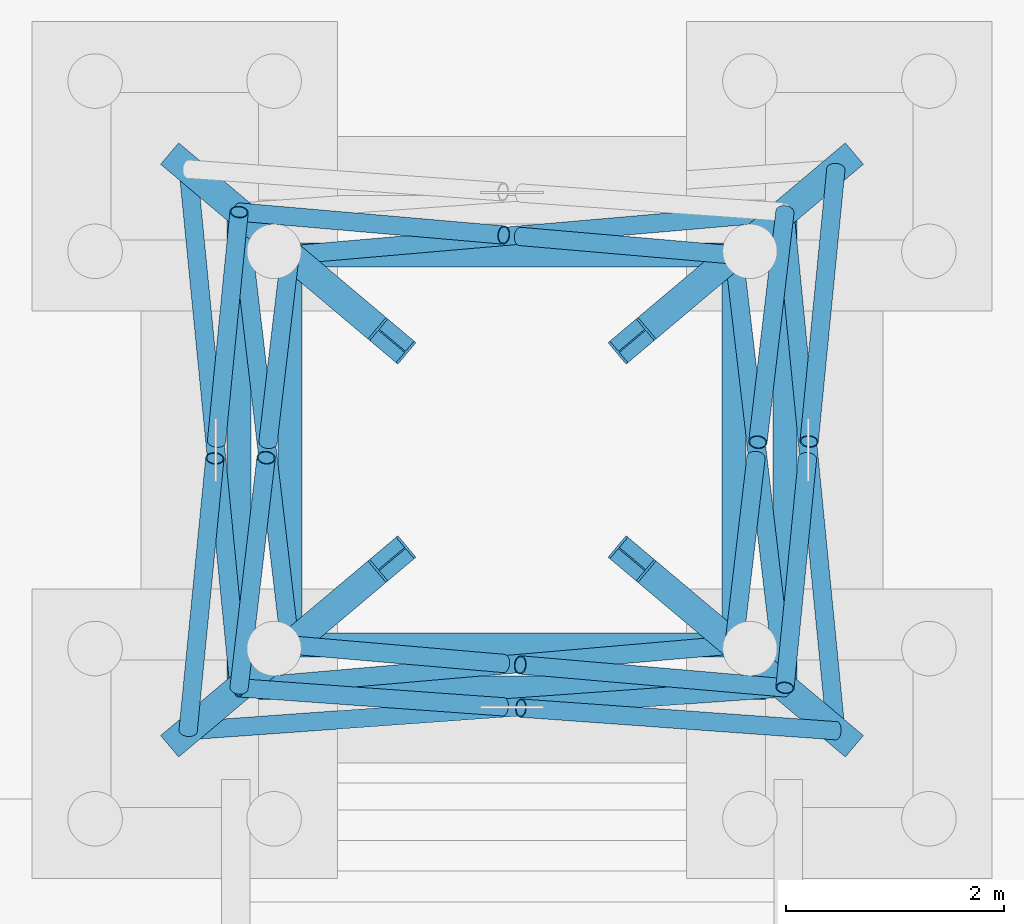
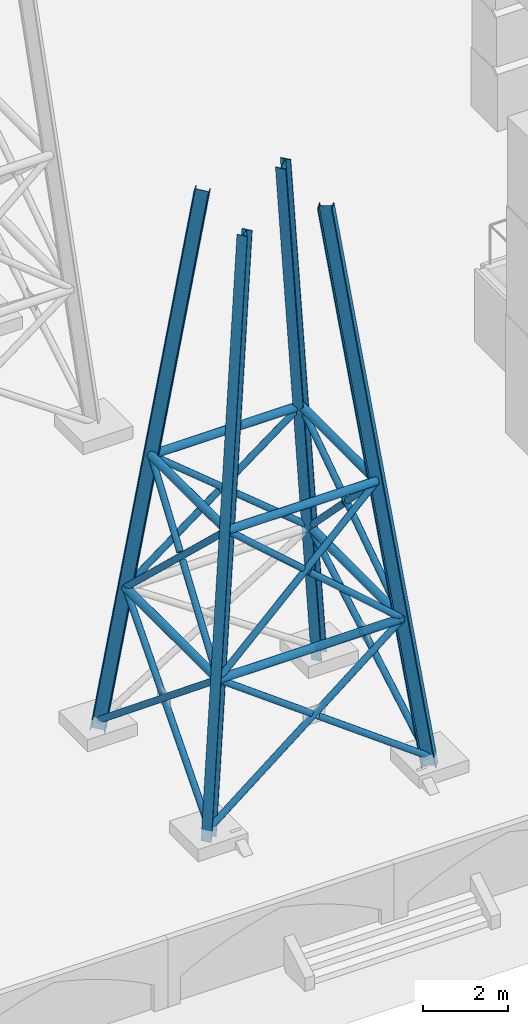
# One storey, part 38 of 135: 32 members.
"""IFC4 building model written with IfcOpenShell, lengths in metres."""

from ifc_helpers import new_model, si_unit, direction, frame, origin, origin_2d, place, context, subcontext, project, spatial, hollow_circle, i_section, extrude, material, material_profile, profile_set, type_object, element, save


model = new_model("IFC4")

# Units and contexts
model_context = context("Model", 3, precision=1e-05, world=origin(), true_north=direction((0.0, 1.0)))
body_context = subcontext(model_context, "Body", "Model", "MODEL_VIEW")
ifc_project = project(units=[si_unit("LENGTHUNIT", "METRE"), si_unit("AREAUNIT", "SQUARE_METRE"), si_unit("VOLUMEUNIT", "CUBIC_METRE"), si_unit("PLANEANGLEUNIT", "RADIAN"), si_unit("MASSUNIT", "GRAM", prefix="KILO")], contexts=[model_context])

# Site, building, storey
site_placement = place(None, origin())
site = spatial("IfcSite", under=ifc_project, at=site_placement, CompositionType="ELEMENT")
building_placement = place(site_placement, origin())
building = spatial("IfcBuilding", under=site, at=building_placement, Name="Cumevento Cable Car Station", CompositionType="ELEMENT")
storey_placement = place(building_placement, origin())
storey = spatial("IfcBuildingStorey", under=building, at=storey_placement, Name="L01", CompositionType="ELEMENT", Elevation=0.0)

# Members
ifc_material_1 = material(Name="Steel ASTM A572 Grade 50", Category="steel")
ifc_material_profile_1 = material_profile(ifc_material_1, hollow_circle(Radius=0.109619140625, WallThickness=0.012451171875, at=origin_2d()), Name="CHS219.1x12.5")
ifc_profile_set_1 = profile_set([ifc_material_profile_1], Name="Steel ASTM A572 Grade 50")
member_type_1 = type_object("IfcMemberType", Name="Framing Brace TD-01 CHS219.1x12.5", PredefinedType="BRACE", material=ifc_profile_set_1)
member_1_placement = place(storey_placement, frame((91.49951171875, 5.0205078125, 4.175048828125), z_axis=(1.0, 0.0, 0.0), x_axis=(0.0, 1.0, 0.0)))
element("IfcMember", 1, at=member_1_placement, inside=storey, type_object=member_type_1, Name="PYLON_S02 Horizontal Lattice Girt #587", PredefinedType="BRACE", context=body_context, shape_type="SweptSolid", body=[
    extrude(hollow_circle(Radius=0.109619140625, WallThickness=0.012451171875, at=origin_2d()), origin(), (0.0, 0.0, 1.0), 5.0009765625),
])
for number, where, z_axis, x_axis, name in (
    (2, (96.50048828125, 5.0205078125, 4.175048828125), (0.0, 1.0, 0.0), (-1.0, 0.0, 0.0), "PYLON_S02 Horizontal Lattice Girt #591"),
    (3, (91.49951171875, 9.37939453125, 4.175048828125), (0.0, -1.0, 0.0), (1.0, 0.0, 0.0), "PYLON_S02 Horizontal Lattice Girt #599"),
):
    element("IfcMember", number, at=place(storey_placement, frame(where, z_axis=z_axis, x_axis=x_axis)), inside=storey, type_object=member_type_1, Name=name, PredefinedType="BRACE", context=body_context, shape_type="SweptSolid", body=[
        extrude(hollow_circle(Radius=0.109619140625, WallThickness=0.012451171875, at=origin_2d()), origin(), (0.0, 0.0, 1.0), 4.35888671875),
    ])
member_2_placement = place(storey_placement, frame((91.96630859375, 5.413818359375, 8.050048828125), z_axis=(1.0, 0.0, 0.0), x_axis=(0.0, 1.0, 0.0)))
element("IfcMember", 4, at=member_2_placement, inside=storey, type_object=member_type_1, Name="PYLON_S02 Horizontal Lattice Girt #603", PredefinedType="BRACE", context=body_context, shape_type="SweptSolid", body=[
    extrude(hollow_circle(Radius=0.109619140625, WallThickness=0.012451171875, at=origin_2d()), origin(), (0.0, 0.0, 1.0), 4.0673828125),
])
member_3_placement = place(storey_placement, frame((96.03369140625, 5.413818359375, 8.050048828125), z_axis=(0.0, 1.0, 0.0), x_axis=(-1.0, 0.0, 0.0)))
element("IfcMember", 5, at=member_3_placement, inside=storey, type_object=member_type_1, Name="PYLON_S02 Horizontal Lattice Girt #607", PredefinedType="BRACE", context=body_context, shape_type="SweptSolid", body=[
    extrude(hollow_circle(Radius=0.109619140625, WallThickness=0.012451171875, at=origin_2d()), origin(), (0.0, 0.0, 1.0), 3.572509765625),
])
member_4_placement = place(storey_placement, frame((96.03369140625, 8.986328125, 8.050048828125), z_axis=(-1.0, 0.0, 0.0), x_axis=(0.0, -1.0, 0.0)))
element("IfcMember", 6, at=member_4_placement, inside=storey, type_object=member_type_1, Name="PYLON_S02 Horizontal Lattice Girt #611", PredefinedType="BRACE", context=body_context, shape_type="SweptSolid", body=[
    extrude(hollow_circle(Radius=0.109619140625, WallThickness=0.012451171875, at=origin_2d()), origin(), (0.0, 0.0, 1.0), 4.0673828125),
])
member_5_placement = place(storey_placement, frame((91.96630859375, 8.986328125, 8.050048828125), z_axis=(0.0, -1.0, 0.0), x_axis=(1.0, 0.0, 0.0)))
element("IfcMember", 7, at=member_5_placement, inside=storey, type_object=member_type_1, Name="PYLON_S02 Horizontal Lattice Girt #615", PredefinedType="BRACE", context=body_context, shape_type="SweptSolid", body=[
    extrude(hollow_circle(Radius=0.109619140625, WallThickness=0.012451171875, at=origin_2d()), origin(), (0.0, 0.0, 1.0), 3.572509765625),
])
ifc_material_2 = material(Name="Steel ASTM A572 Grade 50", Category="steel")
ifc_material_profile_2 = material_profile(ifc_material_2, hollow_circle(Radius=0.084228515625, WallThickness=0.010009765625, at=origin_2d()), Name="CHS168.3x10.0")
ifc_profile_set_2 = profile_set([ifc_material_profile_2], Name="Steel ASTM A572 Grade 50")
member_type_2 = type_object("IfcMemberType", Name="Framing Brace TD-02 CHS168.3x10.0", PredefinedType="BRACE", material=ifc_profile_set_2)
member_6_placement = place(storey_placement, frame((91.032470703125, 4.62744140625, 0.300048828125), z_axis=(0.814496628923, 0.058549786693, 0.577206344344), x_axis=(-0.07169961582, 0.997426270504, 0.0)))
element("IfcMember", 8, at=member_6_placement, inside=storey, type_object=member_type_2, Name="PYLON_S02 Lattice X-Brace A #588", PredefinedType="BRACE", context=body_context, shape_type="SweptSolid", body=[
    extrude(hollow_circle(Radius=0.084228515625, WallThickness=0.010009765625, at=origin_2d()), origin(), (0.0, 0.0, 1.0), 6.71337890625),
])
member_7_placement = place(storey_placement, frame((96.967529296875, 4.62744140625, 0.300048828125), z_axis=(-0.814503776744, 0.058498748537, 0.577201432855), x_axis=(-0.071636810337, -0.997430783265, 0.0)))
element("IfcMember", 9, at=member_7_placement, inside=storey, type_object=member_type_2, Name="PYLON_S02 Lattice X-Brace B Lower #589", PredefinedType="BRACE", context=body_context, shape_type="SweptSolid", body=[
    extrude(hollow_circle(Radius=0.084228515625, WallThickness=0.010009765625, at=origin_2d()), origin(), (0.0, 0.0, 1.0), 3.543212890625),
])
member_8_placement = place(storey_placement, frame((93.91845703125, 4.8466796875, 2.460693359375), z_axis=(-0.81447690727, 0.058529224665, 0.577236257857), x_axis=(-0.071676291701, -0.997427946875, 0.0)))
element("IfcMember", 10, at=member_8_placement, inside=storey, type_object=member_type_2, Name="PYLON_S02 Lattice X-Brace B Upper #590", PredefinedType="BRACE", context=body_context, shape_type="SweptSolid", body=[
    extrude(hollow_circle(Radius=0.084228515625, WallThickness=0.010009765625, at=origin_2d()), origin(), (0.0, 0.0, 1.0), 2.969970703125),
])
member_9_placement = place(storey_placement, frame((96.967529296875, 4.62744140625, 0.300048828125), z_axis=(-0.075949349073, 0.772753858006, 0.630145357289), x_axis=(-0.995204838743, -0.097812723824, 0.0)))
element("IfcMember", 11, at=member_9_placement, inside=storey, type_object=member_type_2, Name="PYLON_S02 Lattice X-Brace A #592", PredefinedType="BRACE", context=body_context, shape_type="SweptSolid", body=[
    extrude(hollow_circle(Radius=0.084228515625, WallThickness=0.010009765625, at=origin_2d()), origin(), (0.0, 0.0, 1.0), 6.1494140625),
])
member_10_placement = place(storey_placement, frame((96.967529296875, 9.772705078125, 0.300048828125), z_axis=(-0.075909926236, -0.772784219185, 0.630112873759), x_axis=(0.995210153463, -0.097758633605, 0.0)))
element("IfcMember", 12, at=member_10_placement, inside=storey, type_object=member_type_2, Name="PYLON_S02 Lattice X-Brace B Lower #593", PredefinedType="BRACE", context=body_context, shape_type="SweptSolid", body=[
    extrude(hollow_circle(Radius=0.084228515625, WallThickness=0.010009765625, at=origin_2d()), origin(), (0.0, 0.0, 1.0), 3.22900390625),
])
member_11_placement = place(storey_placement, frame((96.70703125, 7.122802734375, 2.460693359375), z_axis=(-0.075919941553, -0.772750137957, 0.630153462866), x_axis=(0.995208478946, -0.097775679153, 0.0)))
element("IfcMember", 13, at=member_11_placement, inside=storey, type_object=member_type_2, Name="PYLON_S02 Lattice X-Brace B Upper #594", PredefinedType="BRACE", context=body_context, shape_type="SweptSolid", body=[
    extrude(hollow_circle(Radius=0.084228515625, WallThickness=0.010009765625, at=origin_2d()), origin(), (0.0, 0.0, 1.0), 2.720458984375),
])
member_12_placement = place(storey_placement, frame((91.032470703125, 9.772705078125, 0.300048828125), z_axis=(0.075947019022, -0.772769851158, 0.630126025049), x_axis=(0.995205327889, 0.097807746841, 0.0)))
element("IfcMember", 14, at=member_12_placement, inside=storey, type_object=member_type_2, Name="PYLON_S02 Lattice X-Brace A #600", PredefinedType="BRACE", context=body_context, shape_type="SweptSolid", body=[
    extrude(hollow_circle(Radius=0.084228515625, WallThickness=0.010009765625, at=origin_2d()), origin(), (0.0, 0.0, 1.0), 6.149658203125),
])
member_13_placement = place(storey_placement, frame((91.032470703125, 4.62744140625, 0.300048828125), z_axis=(0.075909926236, 0.772784219185, 0.630112873759), x_axis=(-0.995210153463, 0.097758633605, 0.0)))
element("IfcMember", 15, at=member_13_placement, inside=storey, type_object=member_type_2, Name="PYLON_S02 Lattice X-Brace B Lower #601", PredefinedType="BRACE", context=body_context, shape_type="SweptSolid", body=[
    extrude(hollow_circle(Radius=0.084228515625, WallThickness=0.010009765625, at=origin_2d()), origin(), (0.0, 0.0, 1.0), 3.22900390625),
])
member_14_placement = place(storey_placement, frame((91.29296875, 7.27734375, 2.460693359375), z_axis=(0.075925206578, 0.772713981836, 0.630197163816), x_axis=(-0.995207373857, 0.09778692663, 0.0)))
element("IfcMember", 16, at=member_14_placement, inside=storey, type_object=member_type_2, Name="PYLON_S02 Lattice X-Brace B Upper #602", PredefinedType="BRACE", context=body_context, shape_type="SweptSolid", body=[
    extrude(hollow_circle(Radius=0.084228515625, WallThickness=0.010009765625, at=origin_2d()), origin(), (0.0, 0.0, 1.0), 2.720458984375),
])
member_15_placement = place(storey_placement, frame((91.49951171875, 5.0205078125, 4.175048828125), z_axis=(0.758556032834, 0.065799793716, 0.648277048952), x_axis=(-0.086418967296, 0.996258883068, 0.0)))
element("IfcMember", 17, at=member_15_placement, inside=storey, type_object=member_type_2, Name="PYLON_S02 Lattice X-Brace A #604", PredefinedType="BRACE", context=body_context, shape_type="SweptSolid", body=[
    extrude(hollow_circle(Radius=0.084228515625, WallThickness=0.010009765625, at=origin_2d()), origin(), (0.0, 0.0, 1.0), 5.977294921875),
])
member_16_placement = place(storey_placement, frame((96.50048828125, 5.0205078125, 4.175048828125), z_axis=(-0.758528816868, 0.065763096498, 0.648312616814), x_axis=(-0.086374206071, -0.996262764799, 0.0)))
element("IfcMember", 18, at=member_16_placement, inside=storey, type_object=member_type_2, Name="PYLON_S02 Lattice X-Brace B Lower #605", PredefinedType="BRACE", context=body_context, shape_type="SweptSolid", body=[
    extrude(hollow_circle(Radius=0.084228515625, WallThickness=0.010009765625, at=origin_2d()), origin(), (0.0, 0.0, 1.0), 3.1962890625),
])
member_17_placement = place(storey_placement, frame((93.924072265625, 5.243896484375, 6.376708984375), z_axis=(-0.758516755436, 0.065834600547, 0.648319471475), x_axis=(-0.086468783411, -0.99625456059, 0.0)))
element("IfcMember", 19, at=member_17_placement, inside=storey, type_object=member_type_2, Name="PYLON_S02 Lattice X-Brace B Upper #606", PredefinedType="BRACE", context=body_context, shape_type="SweptSolid", body=[
    extrude(hollow_circle(Radius=0.084228515625, WallThickness=0.010009765625, at=origin_2d()), origin(), (0.0, 0.0, 1.0), 2.5810546875),
])
member_18_placement = place(storey_placement, frame((96.50048828125, 5.0205078125, 4.175048828125), z_axis=(-0.083891635518, 0.712727890874, 0.696405878106), x_axis=(-0.993143925391, -0.116898004515, 0.0)))
element("IfcMember", 20, at=member_18_placement, inside=storey, type_object=member_type_2, Name="PYLON_S02 Lattice X-Brace A #608", PredefinedType="BRACE", context=body_context, shape_type="SweptSolid", body=[
    extrude(hollow_circle(Radius=0.084228515625, WallThickness=0.010009765625, at=origin_2d()), origin(), (0.0, 0.0, 1.0), 5.564208984375),
])
member_19_placement = place(storey_placement, frame((96.50048828125, 9.37939453125, 4.175048828125), z_axis=(-0.083856666764, -0.712699131405, 0.696439521806), x_axis=(0.993149034071, -0.116854593934, 0.0)))
element("IfcMember", 21, at=member_19_placement, inside=storey, type_object=member_type_2, Name="PYLON_S02 Lattice X-Brace B Lower #609", PredefinedType="BRACE", context=body_context, shape_type="SweptSolid", body=[
    extrude(hollow_circle(Radius=0.084228515625, WallThickness=0.010009765625, at=origin_2d()), origin(), (0.0, 0.0, 1.0), 2.9580078125),
])
member_20_placement = place(storey_placement, frame((96.235595703125, 7.128662109375, 6.374267578125), z_axis=(-0.083910756221, -0.712683375693, 0.696449130233), x_axis=(0.993139983731, -0.116931487265, 0.0)))
element("IfcMember", 22, at=member_20_placement, inside=storey, type_object=member_type_2, Name="PYLON_S02 Lattice X-Brace B Upper #610", PredefinedType="BRACE", context=body_context, shape_type="SweptSolid", body=[
    extrude(hollow_circle(Radius=0.084228515625, WallThickness=0.010009765625, at=origin_2d()), origin(), (0.0, 0.0, 1.0), 2.40625),
])
member_21_placement = place(storey_placement, frame((96.50048828125, 9.37939453125, 4.175048828125), z_axis=(-0.758558070852, -0.065759126323, 0.648278790683), x_axis=(0.086365724486, -0.996263500101, 0.0)))
element("IfcMember", 23, at=member_21_placement, inside=storey, type_object=member_type_2, Name="PYLON_S02 Lattice X-Brace A #612", PredefinedType="BRACE", context=body_context, shape_type="SweptSolid", body=[
    extrude(hollow_circle(Radius=0.084228515625, WallThickness=0.010009765625, at=origin_2d()), origin(), (0.0, 0.0, 1.0), 5.977294921875),
])
member_22_placement = place(storey_placement, frame((91.49951171875, 9.37939453125, 4.175048828125), z_axis=(0.758528816868, -0.065763096498, 0.648312616814), x_axis=(0.086374206071, 0.996262764799, 0.0)))
element("IfcMember", 24, at=member_22_placement, inside=storey, type_object=member_type_2, Name="PYLON_S02 Lattice X-Brace B Lower #613", PredefinedType="BRACE", context=body_context, shape_type="SweptSolid", body=[
    extrude(hollow_circle(Radius=0.084228515625, WallThickness=0.010009765625, at=origin_2d()), origin(), (0.0, 0.0, 1.0), 3.1962890625),
])
member_23_placement = place(storey_placement, frame((94.075927734375, 9.156005859375, 6.376708984375), z_axis=(0.758521475591, -0.065740419695, 0.648323505886), x_axis=(0.086345473567, 0.996265255439, 0.0)))
element("IfcMember", 25, at=member_23_placement, inside=storey, type_object=member_type_2, Name="PYLON_S02 Lattice X-Brace B Upper #614", PredefinedType="BRACE", context=body_context, shape_type="SweptSolid", body=[
    extrude(hollow_circle(Radius=0.084228515625, WallThickness=0.010009765625, at=origin_2d()), origin(), (0.0, 0.0, 1.0), 2.5810546875),
])
member_24_placement = place(storey_placement, frame((91.49951171875, 9.37939453125, 4.175048828125), z_axis=(0.083894259013, -0.712706301852, 0.696427656405), x_axis=(0.99314308984, 0.116905102984, 0.0)))
element("IfcMember", 26, at=member_24_placement, inside=storey, type_object=member_type_2, Name="PYLON_S02 Lattice X-Brace A #616", PredefinedType="BRACE", context=body_context, shape_type="SweptSolid", body=[
    extrude(hollow_circle(Radius=0.084228515625, WallThickness=0.010009765625, at=origin_2d()), origin(), (0.0, 0.0, 1.0), 5.564208984375),
])
member_25_placement = place(storey_placement, frame((91.49951171875, 5.0205078125, 4.175048828125), z_axis=(0.083856666764, 0.712699131405, 0.696439521806), x_axis=(-0.993149034071, 0.116854593934, 0.0)))
element("IfcMember", 27, at=member_25_placement, inside=storey, type_object=member_type_2, Name="PYLON_S02 Lattice X-Brace B Lower #617", PredefinedType="BRACE", context=body_context, shape_type="SweptSolid", body=[
    extrude(hollow_circle(Radius=0.084228515625, WallThickness=0.010009765625, at=origin_2d()), origin(), (0.0, 0.0, 1.0), 2.9580078125),
])
member_26_placement = place(storey_placement, frame((91.764404296875, 7.271240234375, 6.374267578125), z_axis=(0.083904688715, 0.712733298943, 0.696398770669), x_axis=(-0.993141916578, 0.116915069752, 0.0)))
element("IfcMember", 28, at=member_26_placement, inside=storey, type_object=member_type_2, Name="PYLON_S02 Lattice X-Brace B Upper #618", PredefinedType="BRACE", context=body_context, shape_type="SweptSolid", body=[
    extrude(hollow_circle(Radius=0.084228515625, WallThickness=0.010009765625, at=origin_2d()), origin(), (0.0, 0.0, 1.0), 2.40625),
])
ifc_material_3 = material(Name="Steel ASTM A572 Grade 50", Category="steel")
ifc_material_profile_3 = material_profile(ifc_material_3, i_section(OverallWidth=0.257080078125, OverallDepth=0.363037109375, WebThickness=0.012939453125, FlangeThickness=0.021728515625, at=origin_2d()), Name="W360x122.0")
ifc_profile_set_3 = profile_set([ifc_material_profile_3], Name="Steel ASTM A572 Grade 50")
member_type_3 = type_object("IfcMemberType", Name="Framing Chord TC-01 W360x122.0", PredefinedType="CHORD", material=ifc_profile_set_3)
for number, where, z_axis, x_axis, name in (
    (29, (91.0, 4.60009765625, 0.030029296875), (0.119008548671, 0.100213700776, 0.98782294948), (-0.644120611248, 0.764923942733, 0.0), "PYLON_S02 Tapered Lattice Corner Leg #583"),
    (30, (97.0, 4.60009765625, 0.030029296875), (-0.119008548671, 0.100213700776, 0.98782294948), (-0.644120611248, -0.764923942733, 0.0), "PYLON_S02 Tapered Lattice Corner Leg #584"),
    (31, (97.0, 9.800048828125, 0.030029296875), (-0.119008366271, -0.100228839957, 0.987821435482), (0.644178118457, -0.764875513859, 0.0), "PYLON_S02 Tapered Lattice Corner Leg #585"),
    (32, (91.0, 9.800048828125, 0.030029296875), (0.119008366271, -0.100228839957, 0.987821435482), (0.644178118457, 0.764875513859, 0.0), "PYLON_S02 Tapered Lattice Corner Leg #586"),
):
    element("IfcMember", number, at=place(storey_placement, frame(where, z_axis=z_axis, x_axis=x_axis)), inside=storey, type_object=member_type_3, Name=name, PredefinedType="CHORD", context=body_context, shape_type="SweptSolid", body=[
        extrude(i_section(OverallWidth=0.257080078125, OverallDepth=0.363037109375, WebThickness=0.012939453125, FlangeThickness=0.021728515625, at=origin_2d()), origin(), (0.0, 0.0, 1.0), 15.96435546875),
    ])

save(model, "model.ifc")
